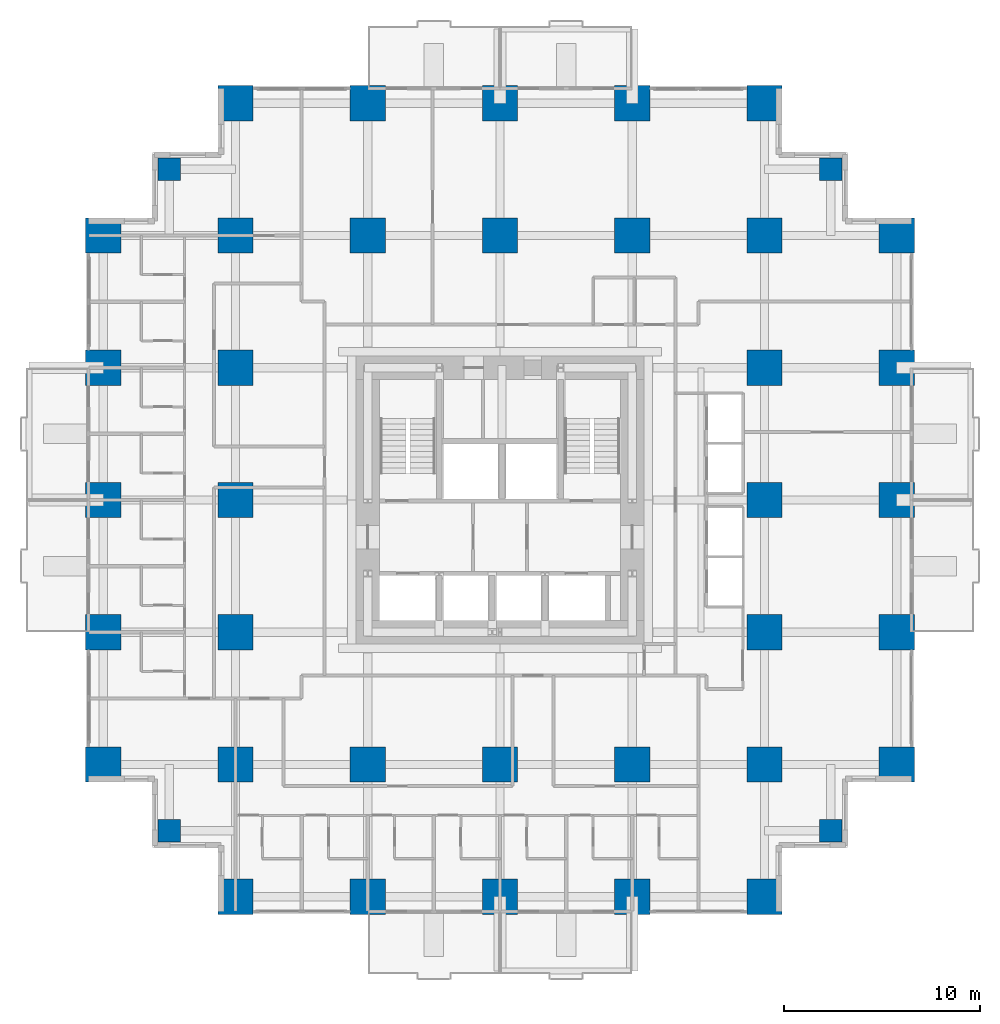
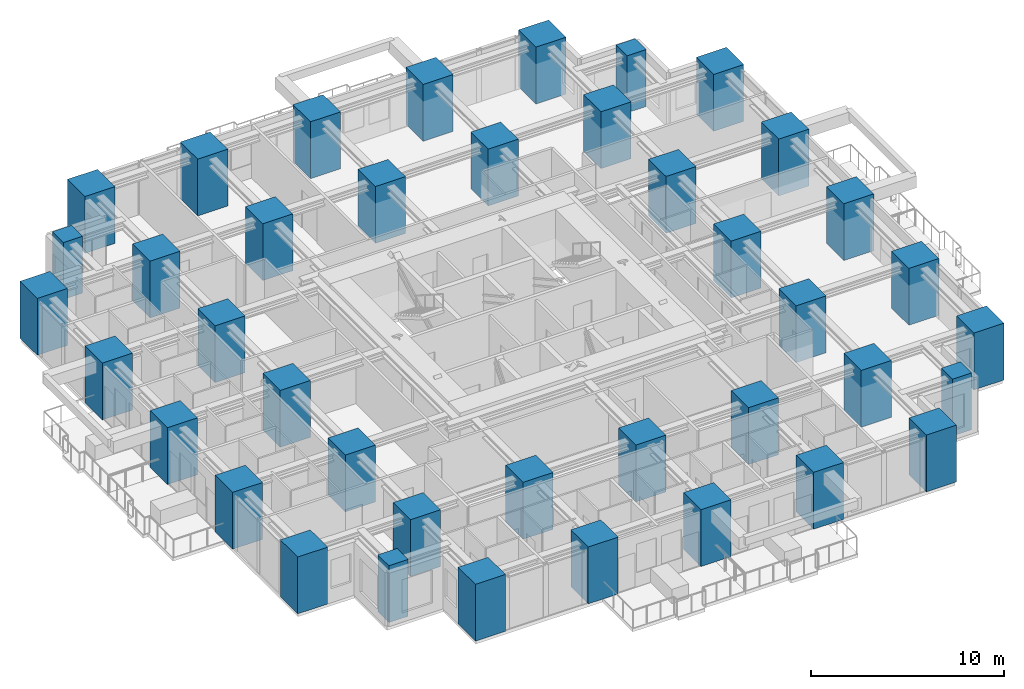
# One storey, part 1 of 13: 40 columns.
"""IFC4 building model written with IfcOpenShell, lengths in metres."""

from ifc_helpers import new_model, si_unit, direction, frame, origin, origin_2d, place, context, subcontext, project, spatial, rectangle, extrude, material, material_profile, profile_set, type_object, element, save


model = new_model("IFC4")

# Units and contexts
model_context = context("Model", 3, precision=1e-05, world=origin(), true_north=direction((0.0, 1.0)))
body_context = subcontext(model_context, "Body", "Model", "MODEL_VIEW")
ifc_project = project(units=[si_unit("LENGTHUNIT", "METRE"), si_unit("AREAUNIT", "SQUARE_METRE"), si_unit("VOLUMEUNIT", "CUBIC_METRE"), si_unit("PLANEANGLEUNIT", "RADIAN"), si_unit("MASSUNIT", "GRAM", prefix="KILO")], contexts=[model_context])

# Site, building, storey
site_placement = place(None, origin())
site = spatial("IfcSite", under=ifc_project, at=site_placement, CompositionType="ELEMENT")
building_placement = place(site_placement, origin())
building = spatial("IfcBuilding", under=site, at=building_placement, Name="Nyansa Garden Tower", CompositionType="ELEMENT")
storey_placement = place(building_placement, frame((0.0, 0.0, 46.800048828125)))
storey = spatial("IfcBuildingStorey", under=building, at=storey_placement, Name="L12", CompositionType="ELEMENT", Elevation=46.800048828125)

# Columns
ifc_material_1 = material(Name="Concrete C70/85", Category="concrete")
ifc_material_profile_1 = material_profile(ifc_material_1, rectangle(XDim=1.14990234375, YDim=1.14990234375, at=origin_2d()), Name="RC 1150x1150")
ifc_profile_set_1 = profile_set([ifc_material_profile_1], Name="Concrete C70/85")
column_type_1 = type_object("IfcColumnType", Name="Column C115 RC 1150x1150", PredefinedType="COLUMN", material=ifc_profile_set_1)
for number, where, z_axis, x_axis, name in (
    (1, (3.375, 3.375, 0.0), (0.0, 0.0, 1.0), (1.0, 0.0, 0.0), "Column x3.375/y3.375 L12"),
    (2, (3.375, 37.125, 0.0), (0.0, 0.0, 1.0), (1.0, 0.0, 0.0), "Column x3.375/y37.125 L12"),
    (3, (37.125, 3.375, 0.0), (0.0, 0.0, 1.0), (1.0, 0.0, 0.0), "Column x37.125/y3.375 L12"),
    (4, (37.125, 37.125, 0.0), (0.0, 0.0, 1.0), (1.0, 0.0, 0.0), "Column x37.125/y37.125 L12"),
):
    element("IfcColumn", number, at=place(storey_placement, frame(where, z_axis=z_axis, x_axis=x_axis)), inside=storey, type_object=column_type_1, Name=name, PredefinedType="COLUMN", context=body_context, shape_type="SweptSolid", body=[
        extrude(rectangle(XDim=1.14990234375, YDim=1.14990234375, at=origin_2d()), origin(), (0.0, 0.0, 1.0), 3.599853515625),
    ])
ifc_material_2 = material(Name="Concrete C80/95", Category="concrete")
ifc_material_profile_2 = material_profile(ifc_material_2, rectangle(XDim=1.800048828125, YDim=1.800048828125, at=origin_2d()), Name="RC 1800x1800")
ifc_profile_set_2 = profile_set([ifc_material_profile_2], Name="Concrete C80/95")
column_type_2 = type_object("IfcColumnType", Name="Column C180 RC 1800x1800", PredefinedType="COLUMN", material=ifc_profile_set_2)
for number, where, z_axis, x_axis, name in (
    (5, (0.0, 6.75, 0.0), (0.0, 0.0, 1.0), (1.0, 0.0, 0.0), "Column 2/E L12"),
    (6, (0.0, 13.5, 0.0), (0.0, 0.0, 1.0), (1.0, 0.0, 0.0), "Column 2/F L12"),
    (7, (0.0, 20.25, 0.0), (0.0, 0.0, 1.0), (1.0, 0.0, 0.0), "Column 2/G L12"),
    (8, (0.0, 27.0, 0.0), (0.0, 0.0, 1.0), (1.0, 0.0, 0.0), "Column 2/H L12"),
    (9, (0.0, 33.75, 0.0), (0.0, 0.0, 1.0), (1.0, 0.0, 0.0), "Column 2/J L12"),
    (10, (6.75, 0.0, 0.0), (0.0, 0.0, 1.0), (1.0, 0.0, 0.0), "Column 3/D L12"),
    (11, (6.75, 6.75, 0.0), (0.0, 0.0, 1.0), (1.0, 0.0, 0.0), "Column 3/E L12"),
    (12, (6.75, 13.5, 0.0), (0.0, 0.0, 1.0), (1.0, 0.0, 0.0), "Column 3/F L12"),
    (13, (6.75, 20.25, 0.0), (0.0, 0.0, 1.0), (1.0, 0.0, 0.0), "Column 3/G L12"),
    (14, (6.75, 27.0, 0.0), (0.0, 0.0, 1.0), (1.0, 0.0, 0.0), "Column 3/H L12"),
    (15, (6.75, 33.75, 0.0), (0.0, 0.0, 1.0), (1.0, 0.0, 0.0), "Column 3/J L12"),
    (16, (6.75, 40.5, 0.0), (0.0, 0.0, 1.0), (1.0, 0.0, 0.0), "Column 3/K L12"),
    (17, (13.5, 0.0, 0.0), (0.0, 0.0, 1.0), (1.0, 0.0, 0.0), "Column 4/D L12"),
    (18, (13.5, 6.75, 0.0), (0.0, 0.0, 1.0), (1.0, 0.0, 0.0), "Column 4/E L12"),
    (19, (13.5, 33.75, 0.0), (0.0, 0.0, 1.0), (1.0, 0.0, 0.0), "Column 4/J L12"),
    (20, (13.5, 40.5, 0.0), (0.0, 0.0, 1.0), (1.0, 0.0, 0.0), "Column 4/K L12"),
    (21, (20.25, 0.0, 0.0), (0.0, 0.0, 1.0), (1.0, 0.0, 0.0), "Column 5/D L12"),
    (22, (20.25, 6.75, 0.0), (0.0, 0.0, 1.0), (1.0, 0.0, 0.0), "Column 5/E L12"),
    (23, (20.25, 33.75, 0.0), (0.0, 0.0, 1.0), (1.0, 0.0, 0.0), "Column 5/J L12"),
    (24, (20.25, 40.5, 0.0), (0.0, 0.0, 1.0), (1.0, 0.0, 0.0), "Column 5/K L12"),
    (25, (27.0, 0.0, 0.0), (0.0, 0.0, 1.0), (1.0, 0.0, 0.0), "Column 6/D L12"),
    (26, (27.0, 6.75, 0.0), (0.0, 0.0, 1.0), (1.0, 0.0, 0.0), "Column 6/E L12"),
    (27, (27.0, 33.75, 0.0), (0.0, 0.0, 1.0), (1.0, 0.0, 0.0), "Column 6/J L12"),
    (28, (27.0, 40.5, 0.0), (0.0, 0.0, 1.0), (1.0, 0.0, 0.0), "Column 6/K L12"),
    (29, (33.75, 0.0, 0.0), (0.0, 0.0, 1.0), (1.0, 0.0, 0.0), "Column 7/D L12"),
    (30, (33.75, 6.75, 0.0), (0.0, 0.0, 1.0), (1.0, 0.0, 0.0), "Column 7/E L12"),
    (31, (33.75, 13.5, 0.0), (0.0, 0.0, 1.0), (1.0, 0.0, 0.0), "Column 7/F L12"),
    (32, (33.75, 20.25, 0.0), (0.0, 0.0, 1.0), (1.0, 0.0, 0.0), "Column 7/G L12"),
    (33, (33.75, 27.0, 0.0), (0.0, 0.0, 1.0), (1.0, 0.0, 0.0), "Column 7/H L12"),
    (34, (33.75, 33.75, 0.0), (0.0, 0.0, 1.0), (1.0, 0.0, 0.0), "Column 7/J L12"),
    (35, (33.75, 40.5, 0.0), (0.0, 0.0, 1.0), (1.0, 0.0, 0.0), "Column 7/K L12"),
    (36, (40.5, 6.75, 0.0), (0.0, 0.0, 1.0), (1.0, 0.0, 0.0), "Column 8/E L12"),
    (37, (40.5, 13.5, 0.0), (0.0, 0.0, 1.0), (1.0, 0.0, 0.0), "Column 8/F L12"),
    (38, (40.5, 20.25, 0.0), (0.0, 0.0, 1.0), (1.0, 0.0, 0.0), "Column 8/G L12"),
    (39, (40.5, 27.0, 0.0), (0.0, 0.0, 1.0), (1.0, 0.0, 0.0), "Column 8/H L12"),
    (40, (40.5, 33.75, 0.0), (0.0, 0.0, 1.0), (1.0, 0.0, 0.0), "Column 8/J L12"),
):
    element("IfcColumn", number, at=place(storey_placement, frame(where, z_axis=z_axis, x_axis=x_axis)), inside=storey, type_object=column_type_2, Name=name, PredefinedType="COLUMN", context=body_context, shape_type="SweptSolid", body=[
        extrude(rectangle(XDim=1.800048828125, YDim=1.800048828125, at=origin_2d()), origin(), (0.0, 0.0, 1.0), 3.599853515625),
    ])

save(model, "model.ifc")
